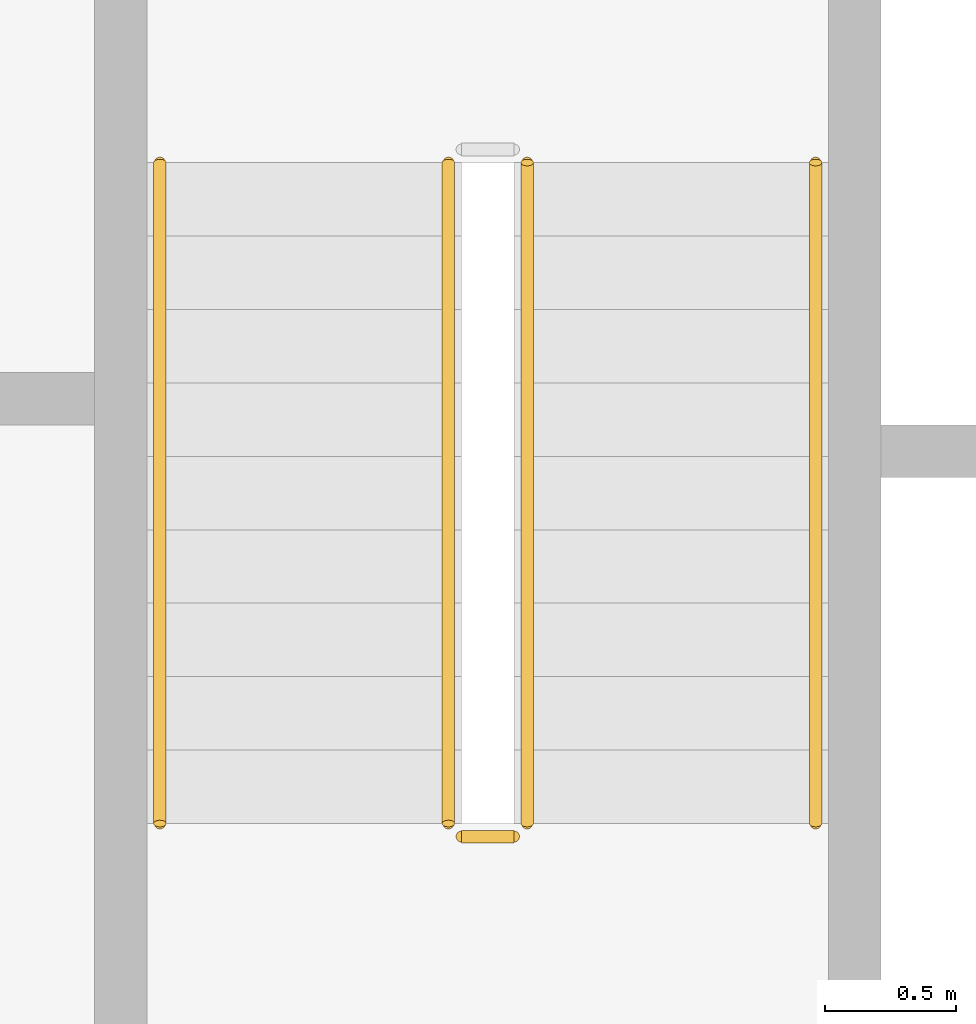
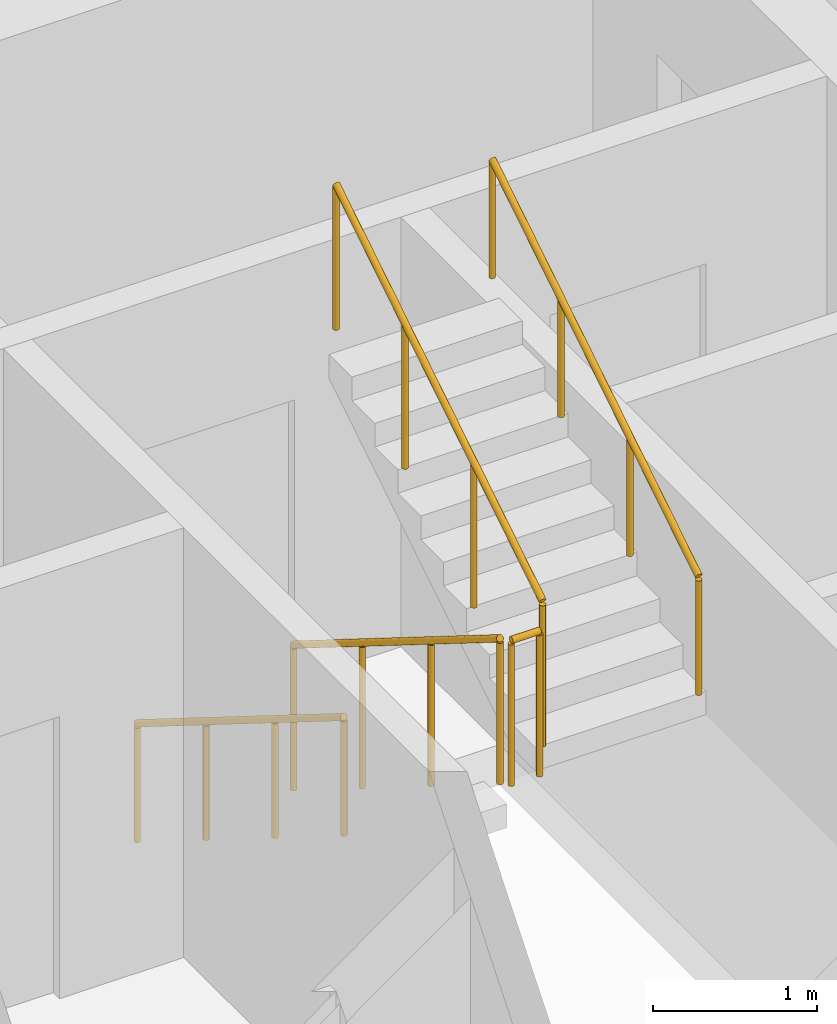
# One storey, part 15 of 22: 5 railings.
"""IFC4 building model written with IfcOpenShell, lengths in metres."""

from ifc_helpers import new_model, si_unit, direction, frame, origin, origin_2d, place, context, subcontext, project, spatial, circle, extrude, material, type_object, element, save


model = new_model("IFC4")

# Units and contexts
model_context = context("Model", 3, precision=1e-05, world=origin(), true_north=direction((0.0, 1.0)))
body_context = subcontext(model_context, "Body", "Model", "MODEL_VIEW")
ifc_project = project(units=[si_unit("LENGTHUNIT", "METRE"), si_unit("AREAUNIT", "SQUARE_METRE"), si_unit("VOLUMEUNIT", "CUBIC_METRE"), si_unit("PLANEANGLEUNIT", "RADIAN"), si_unit("MASSUNIT", "GRAM", prefix="KILO")], contexts=[model_context])

# Site, building, storey
site_placement = place(None, origin())
site = spatial("IfcSite", under=ifc_project, at=site_placement, CompositionType="ELEMENT")
building_placement = place(site_placement, origin())
building = spatial("IfcBuilding", under=site, at=building_placement, Name="Kiln Ring Residences", CompositionType="ELEMENT")
storey_placement = place(building_placement, frame((0.0, 0.0, 153.60009765625)))
storey = spatial("IfcBuildingStorey", under=building, at=storey_placement, Name="L39", CompositionType="ELEMENT", Elevation=153.60009765625)

# Railings
ifc_material_1 = material(Name="Stainless steel", Category="steel")
railing_type_1 = type_object("IfcRailingType", Name="CORE-STAIR-GUARD", PredefinedType="GUARDRAIL", material=ifc_material_1)
railing_1_placement = place(storey_placement, frame((-22.25, 8.39990234375, 0.1748046875)))
element("IfcRailing", 1, at=railing_1_placement, inside=storey, type_object=railing_type_1, Name="L39 W-STN stair guard 1", PredefinedType="GUARDRAIL", context=body_context, shape_type="SweptSolid", body=[
    extrude(circle(Radius=0.02392578125, at=origin_2d()), frame((0.0, 0.0, 1.076171875), z_axis=(0.0, -0.847970611238, 0.530043245855), x_axis=(1.0, 0.0, 0.0)), (0.0, 0.0, 1.0), 2.971923828125),
    extrude(circle(Radius=0.02099609375, at=origin_2d()), origin(), (0.0, 0.0, 1.0), 1.052001953125),
    extrude(circle(Radius=0.02099609375, at=origin_2d()), frame((0.0, -0.840087890625, 0.525146484375)), (0.0, 0.0, 1.0), 1.052001953125),
    extrude(circle(Radius=0.02099609375, at=origin_2d()), frame((0.0, -1.679931640625, 1.050048828125)), (0.0, 0.0, 1.0), 1.052001953125),
    extrude(circle(Radius=0.02099609375, at=origin_2d()), frame((0.0, -2.52001953125, 1.5751953125)), (0.0, 0.0, 1.0), 1.052001953125),
])
railing_2_placement = place(storey_placement, frame((-22.199951171875, 5.830078125, 1.75)))
element("IfcRailing", 2, at=railing_2_placement, inside=storey, type_object=railing_type_1, Name="L39 W-STN stair guard 2", PredefinedType="GUARDRAIL", context=body_context, shape_type="SweptSolid", body=[
    extrude(circle(Radius=0.02392578125, at=origin_2d()), frame((0.0, 0.0, 1.076171875), z_axis=(1.0, 0.0, 0.0), x_axis=(0.0, 1.0, 0.0)), (0.0, 0.0, 1.0), 0.199951171875),
    extrude(circle(Radius=0.02099609375, at=origin_2d()), origin(), (0.0, 0.0, 1.0), 1.052001953125),
    extrude(circle(Radius=0.02099609375, at=origin_2d()), frame((0.199951171875, 0.0, 0.0)), (0.0, 0.0, 1.0), 1.052001953125),
])
railing_3_placement = place(storey_placement, frame((-21.949951171875, 5.8798828125, 1.9248046875)))
element("IfcRailing", 3, at=railing_3_placement, inside=storey, type_object=railing_type_1, Name="L39 W-STN stair guard 3", PredefinedType="GUARDRAIL", context=body_context, shape_type="SweptSolid", body=[
    extrude(circle(Radius=0.02392578125, at=origin_2d()), frame((0.0, 0.0, 1.076171875), z_axis=(0.0, 0.847970611238, 0.530043245855), x_axis=(-1.0, 0.0, 0.0)), (0.0, 0.0, 1.0), 2.971923828125),
    extrude(circle(Radius=0.02099609375, at=origin_2d()), origin(), (0.0, 0.0, 1.0), 1.052001953125),
    extrude(circle(Radius=0.02099609375, at=origin_2d()), frame((0.0, 0.840087890625, 0.525146484375)), (0.0, 0.0, 1.0), 1.052001953125),
    extrude(circle(Radius=0.02099609375, at=origin_2d()), frame((0.0, 1.679931640625, 1.050048828125)), (0.0, 0.0, 1.0), 1.052001953125),
    extrude(circle(Radius=0.02099609375, at=origin_2d()), frame((0.0, 2.52001953125, 1.5751953125)), (0.0, 0.0, 1.0), 1.052001953125),
])
ifc_material_2 = material(Name="Stainless steel", Category="steel")
railing_type_2 = type_object("IfcRailingType", Name="CORE-STAIR-HANDRAIL", PredefinedType="HANDRAIL", material=ifc_material_2)
railing_4_placement = place(storey_placement, frame((-23.35009765625, 8.39990234375, 0.1748046875)))
element("IfcRailing", 4, at=railing_4_placement, inside=storey, type_object=railing_type_2, Name="L39 W-STN stair handrail 1", PredefinedType="HANDRAIL", context=body_context, shape_type="SweptSolid", body=[
    extrude(circle(Radius=0.02392578125, at=origin_2d()), frame((0.0, 0.0, 0.8759765625), z_axis=(0.0, -0.847970611238, 0.530043245855), x_axis=(1.0, 0.0, 0.0)), (0.0, 0.0, 1.0), 2.971923828125),
    extrude(circle(Radius=0.02099609375, at=origin_2d()), origin(), (0.0, 0.0, 1.0), 0.851806640625),
    extrude(circle(Radius=0.02099609375, at=origin_2d()), frame((0.0, -0.840087890625, 0.525146484375)), (0.0, 0.0, 1.0), 0.851806640625),
    extrude(circle(Radius=0.02099609375, at=origin_2d()), frame((0.0, -1.679931640625, 1.050048828125)), (0.0, 0.0, 1.0), 0.851806640625),
    extrude(circle(Radius=0.02099609375, at=origin_2d()), frame((0.0, -2.52001953125, 1.5751953125)), (0.0, 0.0, 1.0), 0.851806640625),
])
railing_5_placement = place(storey_placement, frame((-20.85009765625, 5.8798828125, 1.9248046875)))
element("IfcRailing", 5, at=railing_5_placement, inside=storey, type_object=railing_type_2, Name="L39 W-STN stair handrail 2", PredefinedType="HANDRAIL", context=body_context, shape_type="SweptSolid", body=[
    extrude(circle(Radius=0.02392578125, at=origin_2d()), frame((0.0, 0.0, 0.8759765625), z_axis=(0.0, 0.847970611238, 0.530043245855), x_axis=(-1.0, 0.0, 0.0)), (0.0, 0.0, 1.0), 2.971923828125),
    extrude(circle(Radius=0.02099609375, at=origin_2d()), origin(), (0.0, 0.0, 1.0), 0.851806640625),
    extrude(circle(Radius=0.02099609375, at=origin_2d()), frame((0.0, 0.840087890625, 0.525146484375)), (0.0, 0.0, 1.0), 0.851806640625),
    extrude(circle(Radius=0.02099609375, at=origin_2d()), frame((0.0, 1.679931640625, 1.050048828125)), (0.0, 0.0, 1.0), 0.851806640625),
    extrude(circle(Radius=0.02099609375, at=origin_2d()), frame((0.0, 2.52001953125, 1.5751953125)), (0.0, 0.0, 1.0), 0.851806640625),
])

save(model, "model.ifc")
